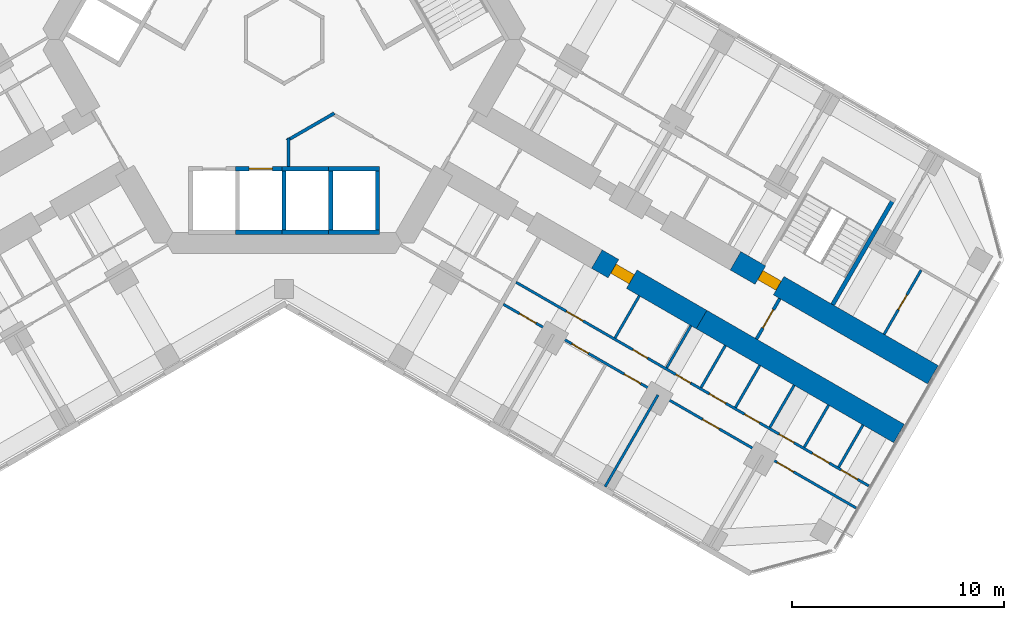
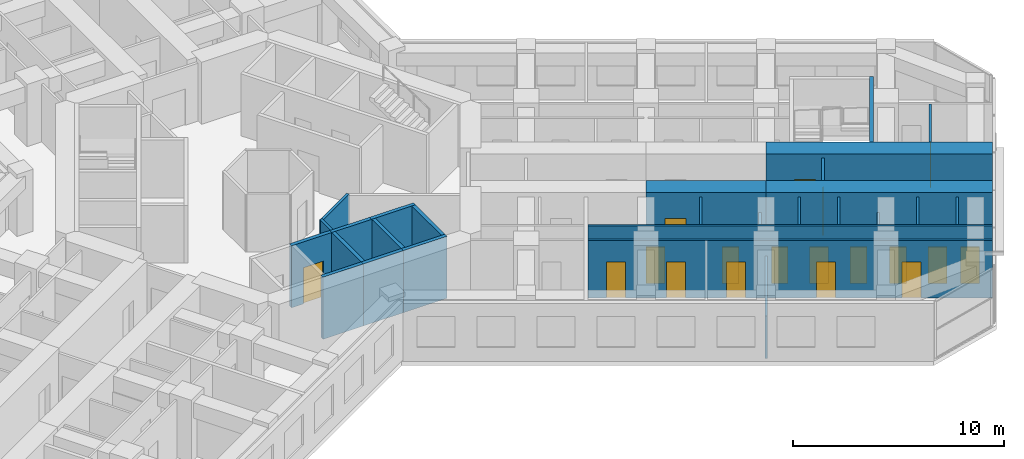
# One storey, part 14 of 21: 27 walls, 18 doors, 18 openings.
"""IFC4 building model written with IfcOpenShell, lengths in metres."""

from ifc_helpers import new_model, si_unit, direction, frame, frame_2d, origin, place, context, subcontext, project, spatial, rectangle, extrude, material, layer, layer_set, type_object, element, fill, save


model = new_model("IFC4")

# Units and contexts
model_context = context("Model", 3, precision=1e-05, world=origin(), true_north=direction((0.0, 1.0)))
body_context = subcontext(model_context, "Body", "Model", "MODEL_VIEW")
ifc_project = project(units=[si_unit("LENGTHUNIT", "METRE"), si_unit("AREAUNIT", "SQUARE_METRE"), si_unit("VOLUMEUNIT", "CUBIC_METRE"), si_unit("PLANEANGLEUNIT", "RADIAN"), si_unit("MASSUNIT", "GRAM", prefix="KILO")], contexts=[model_context])

# Site, building, storey
site_placement = place(None, origin())
site = spatial("IfcSite", under=ifc_project, at=site_placement, CompositionType="ELEMENT")
building_placement = place(site_placement, origin())
building = spatial("IfcBuilding", under=site, at=building_placement, Name="Kosmar Iwan School Tower", CompositionType="ELEMENT")
storey_placement = place(building_placement, frame((0.0, 0.0, 80.800048828125)))
storey = spatial("IfcBuildingStorey", under=building, at=storey_placement, Name="L19", CompositionType="ELEMENT", Elevation=80.800048828125)

# Walls
ifc_material_1 = material(Name="Gypsum board on steel studs, fire-rated", Category="steel")
ifc_layer_1 = layer(ifc_material_1, 0.14990234375)
ifc_layer_set_1 = layer_set([ifc_layer_1], Name="Core room partition 150")
wall_type_1 = type_object("IfcWallType", Name="Core room partition 150", PredefinedType="PARTITIONING", material=ifc_layer_set_1)
wall_1_placement = place(storey_placement, frame((0.135009765625, -4.771728515625, 0.0), z_axis=(0.0, 0.0, 1.0), x_axis=(0.866046643894, 0.499963209246, 0.0)))
element("IfcWall", 1, at=wall_1_placement, inside=storey, type_object=wall_type_1, Name="Core room partition L19-CW10", PredefinedType="PARTITIONING", context=body_context, shape_type="SweptSolid", body=[
    extrude(rectangle(XDim=2.574951171875, YDim=0.14990234375, at=frame_2d((1.28759765625, 0.0))), origin(), (0.0, 0.0, 1.0), 3.349853515625),
])
wall_2_placement = place(storey_placement, frame((0.199951171875, -6.0048828125, 0.0), z_axis=(0.0, 0.0, 1.0), x_axis=(0.0, 1.0, 0.0)))
element("IfcWall", 2, at=wall_2_placement, inside=storey, type_object=wall_type_1, Name="Core room partition L19-CW12", PredefinedType="PARTITIONING", context=body_context, shape_type="SweptSolid", body=[
    extrude(rectangle(XDim=1.345703125, YDim=0.14990234375, at=frame_2d((0.6728515625, 0.0))), origin(), (0.0, 0.0, 1.0), 3.349853515625),
])

# Wall, opening, door
ifc_material_2 = material(Name="Concrete C50/60", Category="concrete")
ifc_layer_2 = layer(ifc_material_2, 1.0)
ifc_layer_set_2 = layer_set([ifc_layer_2], Name="Corridor buttress wall 1000")
wall_type_2 = type_object("IfcWallType", Name="Corridor buttress wall 1000", PredefinedType="SHEAR", material=ifc_layer_set_2)
wall_3_placement = place(storey_placement, frame((21.281494140625, -10.439453125, 0.0), z_axis=(0.0, 0.0, 1.0), x_axis=(0.866032345022, -0.499987977232, 0.0)))
wall_3 = element("IfcWall", 3, at=wall_3_placement, inside=storey, type_object=wall_type_2, Name="Corridor wall CL bay 3", PredefinedType="SHEAR", context=body_context, shape_type="SweptSolid", body=[
    extrude(rectangle(XDim=10.744873046875, YDim=1.0, at=frame_2d((5.37255859375, 0.0))), origin(), (0.0, 0.0, 1.0), 3.599853515625),
])
opening_1_placement = place(wall_3_placement, frame((1.35009765625, 0.0, 0.0)))
opening_1 = element("IfcOpeningElement", 4, at=opening_1_placement, cuts=wall_3, Name="Opening D6", PredefinedType="OPENING", context=body_context, shape_type="SweptSolid", body=[
    extrude(rectangle(XDim=1.0, YDim=2.10009765625, at=frame_2d((0.5, 1.050048828125))), frame((0.0, 0.511962890625, 0.0), z_axis=(0.0, -1.0, 0.0), x_axis=(1.0, 0.0, 0.0)), (0.0, 0.0, 1.0), 1.02392578125),
])
ifc_material_3 = material(Name="Steel fire door", Category="steel")
door_type_1 = type_object("IfcDoorType", Name="Stair door 1000x2100", OperationType="SINGLE_SWING_LEFT", PredefinedType="DOOR", material=ifc_material_3)
door_1_placement = place(opening_1_placement, origin())
door_1 = element("IfcDoor", 5, at=door_1_placement, inside=storey, type_object=door_type_1, Name="Stair WS3 door L19", OperationType="SINGLE_SWING_LEFT", OverallHeight=2.10009765625, OverallWidth=1.0, PredefinedType="DOOR", context=body_context, shape_type="SweptSolid", body=[
    extrude(rectangle(XDim=1.0, YDim=2.10009765625, at=frame_2d((0.5, 1.050048828125))), frame((0.0, 0.25, 0.0), z_axis=(0.0, -1.0, 0.0), x_axis=(1.0, 0.0, 0.0)), (0.0, 0.0, 1.0), 0.5),
])
fill(opening_1, door_1)

wall_4_placement = place(storey_placement, frame((14.7451171875, -10.360595703125, 0.0), z_axis=(0.0, 0.0, 1.0), x_axis=(0.866015111908, -0.50001782563, 0.0)))
wall_4 = element("IfcWall", 6, at=wall_4_placement, inside=storey, type_object=wall_type_2, Name="Corridor wall CR bay 2", PredefinedType="SHEAR", context=body_context, shape_type="SweptSolid", body=[
    extrude(rectangle(XDim=5.699951171875, YDim=1.0, at=frame_2d((2.85009765625, 0.0))), origin(), (0.0, 0.0, 1.0), 3.599853515625),
])
opening_2_placement = place(wall_4_placement, frame((0.89990234375, 0.0, 0.0)))
opening_2 = element("IfcOpeningElement", 7, at=opening_2_placement, cuts=wall_4, Name="Opening D1", PredefinedType="OPENING", context=body_context, shape_type="SweptSolid", body=[
    extrude(rectangle(XDim=1.0, YDim=2.10009765625, at=frame_2d((0.5, 1.050048828125))), frame((0.0, 0.511962890625, 0.0), z_axis=(0.0, -1.0, 0.0), x_axis=(1.0, 0.0, 0.0)), (0.0, 0.0, 1.0), 1.02392578125),
])
ifc_material_4 = material(Name="Timber fire door in steel frame", Category="steel")
door_type_2 = type_object("IfcDoorType", Name="Flat entrance door 1000x2100", OperationType="SINGLE_SWING_LEFT", PredefinedType="DOOR", material=ifc_material_4)
door_2_placement = place(opening_2_placement, origin())
door_2 = element("IfcDoor", 8, at=door_2_placement, inside=storey, type_object=door_type_2, Name="Flat L19-CR2 entrance door", OperationType="SINGLE_SWING_LEFT", OverallHeight=2.10009765625, OverallWidth=1.0, PredefinedType="DOOR", context=body_context, shape_type="SweptSolid", body=[
    extrude(rectangle(XDim=1.0, YDim=2.10009765625, at=frame_2d((0.5, 1.050048828125))), frame((0.0, 0.25, 0.0), z_axis=(0.0, -1.0, 0.0), x_axis=(1.0, 0.0, 0.0)), (0.0, 0.0, 1.0), 0.5),
])
fill(opening_2, door_2)

# Wall
wall_5_placement = place(storey_placement, frame((19.681396484375, -13.210693359375, 0.0), z_axis=(0.0, 0.0, 1.0), x_axis=(0.866028186671, -0.499995179869, 0.0)))
element("IfcWall", 9, at=wall_5_placement, inside=storey, type_object=wall_type_2, Name="Corridor wall CR bay 3", PredefinedType="SHEAR", context=body_context, shape_type="SweptSolid", body=[
    extrude(rectangle(XDim=10.7451171875, YDim=1.0, at=frame_2d((5.37255859375, 0.0))), origin(), (0.0, 0.0, 1.0), 3.599853515625),
])

# Wall, opening, door
ifc_material_5 = material(Name="Gypsum board on steel studs, fire-rated", Category="steel")
ifc_layer_3 = layer(ifc_material_5, 0.14990234375)
ifc_layer_set_3 = layer_set([ifc_layer_3], Name="Corridor end wall 150")
wall_type_3 = type_object("IfcWallType", Name="Corridor end wall 150", PredefinedType="PARTITIONING", material=ifc_layer_set_3)
wall_6_placement = place(storey_placement, frame((22.269775390625, -14.127685546875, 0.0), z_axis=(0.0, 0.0, 1.0), x_axis=(0.50002983664, 0.866008176907, 0.0)))
wall_6 = element("IfcWall", 10, at=wall_6_placement, inside=storey, type_object=wall_type_3, Name="Partition L19-C-CE", PredefinedType="PARTITIONING", context=body_context, shape_type="SweptSolid", body=[
    extrude(rectangle(XDim=2.199951171875, YDim=0.14990234375, at=frame_2d((1.10009765625, 0.0))), origin(), (0.0, 0.0, 1.0), 3.349853515625),
])
opening_3_placement = place(wall_6_placement, frame((0.60009765625, 0.0, 0.0)))
opening_3 = element("IfcOpeningElement", 11, at=opening_3_placement, cuts=wall_6, Name="Opening D13", PredefinedType="OPENING", context=body_context, shape_type="SweptSolid", body=[
    extrude(rectangle(XDim=1.0, YDim=2.10009765625, at=frame_2d((0.5, 1.050048828125))), frame((0.0, 0.0869140625, 0.0), z_axis=(0.0, -1.0, 0.0), x_axis=(1.0, 0.0, 0.0)), (0.0, 0.0, 1.0), 0.173828125),
])
ifc_material_6 = material(Name="Timber fire door with vision panel", Category="wood")
door_type_3 = type_object("IfcDoorType", Name="Corridor end door 1000x2100", OperationType="SINGLE_SWING_LEFT", PredefinedType="DOOR", material=ifc_material_6)
door_3_placement = place(opening_3_placement, origin())
door_3 = element("IfcDoor", 12, at=door_3_placement, inside=storey, type_object=door_type_3, Name="Hobby workshop door L19-C", OperationType="SINGLE_SWING_LEFT", OverallHeight=2.10009765625, OverallWidth=1.0, PredefinedType="DOOR", context=body_context, shape_type="SweptSolid", body=[
    extrude(rectangle(XDim=1.0, YDim=2.10009765625, at=frame_2d((0.5, 1.050048828125))), frame((0.0, 0.02490234375, 0.0), z_axis=(0.0, -1.0, 0.0), x_axis=(1.0, 0.0, 0.0)), (0.0, 0.0, 1.0), 0.050048828125),
])
fill(opening_3, door_3)

ifc_material_7 = material(Name="Gypsum board on steel studs", Category="steel")
ifc_layer_4 = layer(ifc_material_7, 0.1201171875)
ifc_layer_set_4 = layer_set([ifc_layer_4], Name="Dwelling partition 120")
wall_type_4 = type_object("IfcWallType", Name="Dwelling partition 120", PredefinedType="PARTITIONING", material=ifc_layer_set_4)
wall_7_placement = place(storey_placement, frame((28.286376953125, -13.90625, 0.0), z_axis=(0.0, 0.0, 1.0), x_axis=(0.50002117804, 0.866013176292, 0.0)))
wall_7 = element("IfcWall", 13, at=wall_7_placement, inside=storey, type_object=wall_type_4, Name="Partition L19-CL2-TY", PredefinedType="PARTITIONING", context=body_context, shape_type="SweptSolid", body=[
    extrude(rectangle(XDim=3.489990234375, YDim=0.1201171875, at=frame_2d((1.7451171875, 0.0))), origin(), (0.0, 0.0, 1.0), 3.349853515625),
])
opening_4_placement = place(wall_7_placement, frame((1.344970703125, 0.0, 0.0)))
opening_4 = element("IfcOpeningElement", 14, at=opening_4_placement, cuts=wall_7, Name="Opening D3", PredefinedType="OPENING", context=body_context, shape_type="SweptSolid", body=[
    extrude(rectangle(XDim=0.800048828125, YDim=2.10009765625, at=frame_2d((0.39990234375, 1.050048828125))), frame((0.0, 0.072021484375, 0.0), z_axis=(0.0, -1.0, 0.0), x_axis=(1.0, 0.0, 0.0)), (0.0, 0.0, 1.0), 0.14404296875),
])
ifc_material_8 = material(Name="Timber door in timber frame", Category="wood")
door_type_4 = type_object("IfcDoorType", Name="Sanitary room door 800x2100", OperationType="SINGLE_SWING_LEFT", PredefinedType="DOOR", material=ifc_material_8)
door_4_placement = place(opening_4_placement, origin())
door_4 = element("IfcDoor", 15, at=door_4_placement, inside=storey, type_object=door_type_4, Name="Shower room door L19-CL2-T4", OperationType="SINGLE_SWING_LEFT", OverallHeight=2.10009765625, OverallWidth=0.800048828125, PredefinedType="DOOR", context=body_context, shape_type="SweptSolid", body=[
    extrude(rectangle(XDim=0.800048828125, YDim=2.10009765625, at=frame_2d((0.39990234375, 1.050048828125))), frame((0.0, 0.02490234375, 0.0), z_axis=(0.0, -1.0, 0.0), x_axis=(1.0, 0.0, 0.0)), (0.0, 0.0, 1.0), 0.050048828125),
])
fill(opening_4, door_4)

# Wall, openings, doors
wall_8_placement = place(storey_placement, frame((10.9384765625, -11.453857421875, 0.0), z_axis=(0.0, 0.0, 1.0), x_axis=(0.866029698618, -0.499992561057, 0.0)))
wall_8 = element("IfcWall", 16, at=wall_8_placement, inside=storey, type_object=wall_type_4, Name="Partition L19-CR2-W1", PredefinedType="PARTITIONING", context=body_context, shape_type="SweptSolid", body=[
    extrude(rectangle(XDim=19.195068359375, YDim=0.1201171875, at=frame_2d((9.59765625, 0.0))), origin(), (0.0, 0.0, 1.0), 3.349853515625),
])
opening_5_placement = place(wall_8_placement, frame((2.75, 0.0, 0.0)))
opening_5 = element("IfcOpeningElement", 17, at=opening_5_placement, cuts=wall_8, Name="Opening D2", PredefinedType="OPENING", context=body_context, shape_type="SweptSolid", body=[
    extrude(rectangle(XDim=0.89990234375, YDim=2.10009765625, at=frame_2d((0.449951171875, 1.050048828125))), frame((0.0, 0.072021484375, 0.0), z_axis=(0.0, -1.0, 0.0), x_axis=(1.0, 0.0, 0.0)), (0.0, 0.0, 1.0), 0.14404296875),
])
opening_6_placement = place(wall_8_placement, frame((6.35498046875, 0.0, 0.0)))
opening_6 = element("IfcOpeningElement", 18, at=opening_6_placement, cuts=wall_8, Name="Opening D3", PredefinedType="OPENING", context=body_context, shape_type="SweptSolid", body=[
    extrude(rectangle(XDim=0.800048828125, YDim=2.10009765625, at=frame_2d((0.39990234375, 1.050048828125))), frame((0.0, 0.072021484375, 0.0), z_axis=(0.0, -1.0, 0.0), x_axis=(1.0, 0.0, 0.0)), (0.0, 0.0, 1.0), 0.14404296875),
])
opening_7_placement = place(wall_8_placement, frame((8.69677734375, 0.0, 0.0)))
opening_7 = element("IfcOpeningElement", 19, at=opening_7_placement, cuts=wall_8, Name="Opening D3", PredefinedType="OPENING", context=body_context, shape_type="SweptSolid", body=[
    extrude(rectangle(XDim=0.800048828125, YDim=2.10009765625, at=frame_2d((0.39990234375, 1.050048828125))), frame((0.0, 0.072021484375, 0.0), z_axis=(0.0, -1.0, 0.0), x_axis=(1.0, 0.0, 0.0)), (0.0, 0.0, 1.0), 0.14404296875),
])
opening_8_placement = place(wall_8_placement, frame((10.52001953125, 0.0, 0.0)))
opening_8 = element("IfcOpeningElement", 20, at=opening_8_placement, cuts=wall_8, Name="Opening D2", PredefinedType="OPENING", context=body_context, shape_type="SweptSolid", body=[
    extrude(rectangle(XDim=0.89990234375, YDim=2.10009765625, at=frame_2d((0.449951171875, 1.050048828125))), frame((0.0, 0.072021484375, 0.0), z_axis=(0.0, -1.0, 0.0), x_axis=(1.0, 0.0, 0.0)), (0.0, 0.0, 1.0), 0.14404296875),
])
opening_9_placement = place(wall_8_placement, frame((12.443359375, 0.0, 0.0)))
opening_9 = element("IfcOpeningElement", 21, at=opening_9_placement, cuts=wall_8, Name="Opening D3", PredefinedType="OPENING", context=body_context, shape_type="SweptSolid", body=[
    extrude(rectangle(XDim=0.800048828125, YDim=2.10009765625, at=frame_2d((0.39990234375, 1.050048828125))), frame((0.0, 0.072021484375, 0.0), z_axis=(0.0, -1.0, 0.0), x_axis=(1.0, 0.0, 0.0)), (0.0, 0.0, 1.0), 0.14404296875),
])
opening_10_placement = place(wall_8_placement, frame((14.316650390625, 0.0, 0.0)))
opening_10 = element("IfcOpeningElement", 22, at=opening_10_placement, cuts=wall_8, Name="Opening D3", PredefinedType="OPENING", context=body_context, shape_type="SweptSolid", body=[
    extrude(rectangle(XDim=0.800048828125, YDim=2.10009765625, at=frame_2d((0.39990234375, 1.050048828125))), frame((0.0, 0.072021484375, 0.0), z_axis=(0.0, -1.0, 0.0), x_axis=(1.0, 0.0, 0.0)), (0.0, 0.0, 1.0), 0.14404296875),
])
opening_11_placement = place(wall_8_placement, frame((16.139892578125, 0.0, 0.0)))
opening_11 = element("IfcOpeningElement", 23, at=opening_11_placement, cuts=wall_8, Name="Opening D2", PredefinedType="OPENING", context=body_context, shape_type="SweptSolid", body=[
    extrude(rectangle(XDim=0.89990234375, YDim=2.10009765625, at=frame_2d((0.449951171875, 1.050048828125))), frame((0.0, 0.072021484375, 0.0), z_axis=(0.0, -1.0, 0.0), x_axis=(1.0, 0.0, 0.0)), (0.0, 0.0, 1.0), 0.14404296875),
])
opening_12_placement = place(wall_8_placement, frame((17.686767578125, 0.0, 0.0)))
opening_12 = element("IfcOpeningElement", 24, at=opening_12_placement, cuts=wall_8, Name="Opening D2", PredefinedType="OPENING", context=body_context, shape_type="SweptSolid", body=[
    extrude(rectangle(XDim=0.89990234375, YDim=2.10009765625, at=frame_2d((0.449951171875, 1.050048828125))), frame((0.0, 0.072021484375, 0.0), z_axis=(0.0, -1.0, 0.0), x_axis=(1.0, 0.0, 0.0)), (0.0, 0.0, 1.0), 0.14404296875),
])
ifc_material_9 = material(Name="Timber door in timber frame", Category="wood")
door_type_5 = type_object("IfcDoorType", Name="Internal door 900x2100", OperationType="SINGLE_SWING_LEFT", PredefinedType="DOOR", material=ifc_material_9)
door_5_placement = place(opening_5_placement, origin())
door_5 = element("IfcDoor", 25, at=door_5_placement, inside=storey, type_object=door_type_5, Name="Entrance hall door L19-CR2-S1", OperationType="SINGLE_SWING_RIGHT", OverallHeight=2.10009765625, OverallWidth=0.89990234375, PredefinedType="DOOR", context=body_context, shape_type="SweptSolid", body=[
    extrude(rectangle(XDim=0.89990234375, YDim=2.10009765625, at=frame_2d((0.449951171875, 1.050048828125))), frame((0.0, 0.02490234375, 0.0), z_axis=(0.0, -1.0, 0.0), x_axis=(1.0, 0.0, 0.0)), (0.0, 0.0, 1.0), 0.050048828125),
])
fill(opening_5, door_5)
door_6_placement = place(opening_8_placement, origin())
door_6 = element("IfcDoor", 26, at=door_6_placement, inside=storey, type_object=door_type_5, Name="Pantry door L19-CR2-S4", OperationType="SINGLE_SWING_LEFT", OverallHeight=2.10009765625, OverallWidth=0.89990234375, PredefinedType="DOOR", context=body_context, shape_type="SweptSolid", body=[
    extrude(rectangle(XDim=0.89990234375, YDim=2.10009765625, at=frame_2d((0.449951171875, 1.050048828125))), frame((0.0, 0.02490234375, 0.0), z_axis=(0.0, -1.0, 0.0), x_axis=(1.0, 0.0, 0.0)), (0.0, 0.0, 1.0), 0.050048828125),
])
fill(opening_8, door_6)
door_7_placement = place(opening_11_placement, origin())
door_7 = element("IfcDoor", 27, at=door_7_placement, inside=storey, type_object=door_type_5, Name="Utility room door L19-CR2-S7", OperationType="SINGLE_SWING_RIGHT", OverallHeight=2.10009765625, OverallWidth=0.89990234375, PredefinedType="DOOR", context=body_context, shape_type="SweptSolid", body=[
    extrude(rectangle(XDim=0.89990234375, YDim=2.10009765625, at=frame_2d((0.449951171875, 1.050048828125))), frame((0.0, 0.02490234375, 0.0), z_axis=(0.0, -1.0, 0.0), x_axis=(1.0, 0.0, 0.0)), (0.0, 0.0, 1.0), 0.050048828125),
])
fill(opening_11, door_7)
door_8_placement = place(opening_12_placement, origin())
door_8 = element("IfcDoor", 28, at=door_8_placement, inside=storey, type_object=door_type_5, Name="Dressing room door L19-CR2-S8", OperationType="SINGLE_SWING_LEFT", OverallHeight=2.10009765625, OverallWidth=0.89990234375, PredefinedType="DOOR", context=body_context, shape_type="SweptSolid", body=[
    extrude(rectangle(XDim=0.89990234375, YDim=2.10009765625, at=frame_2d((0.449951171875, 1.050048828125))), frame((0.0, 0.02490234375, 0.0), z_axis=(0.0, -1.0, 0.0), x_axis=(1.0, 0.0, 0.0)), (0.0, 0.0, 1.0), 0.050048828125),
])
fill(opening_12, door_8)
door_9_placement = place(opening_6_placement, origin())
door_9 = element("IfcDoor", 29, at=door_9_placement, inside=storey, type_object=door_type_4, Name="Bathroom door L19-CR2-S2", OperationType="SINGLE_SWING_LEFT", OverallHeight=2.10009765625, OverallWidth=0.800048828125, PredefinedType="DOOR", context=body_context, shape_type="SweptSolid", body=[
    extrude(rectangle(XDim=0.800048828125, YDim=2.10009765625, at=frame_2d((0.39990234375, 1.050048828125))), frame((0.0, 0.02490234375, 0.0), z_axis=(0.0, -1.0, 0.0), x_axis=(1.0, 0.0, 0.0)), (0.0, 0.0, 1.0), 0.050048828125),
])
fill(opening_6, door_9)
door_10_placement = place(opening_7_placement, origin())
door_10 = element("IfcDoor", 30, at=door_10_placement, inside=storey, type_object=door_type_4, Name="Shower room door L19-CR2-S3", OperationType="SINGLE_SWING_RIGHT", OverallHeight=2.10009765625, OverallWidth=0.800048828125, PredefinedType="DOOR", context=body_context, shape_type="SweptSolid", body=[
    extrude(rectangle(XDim=0.800048828125, YDim=2.10009765625, at=frame_2d((0.39990234375, 1.050048828125))), frame((0.0, 0.02490234375, 0.0), z_axis=(0.0, -1.0, 0.0), x_axis=(1.0, 0.0, 0.0)), (0.0, 0.0, 1.0), 0.050048828125),
])
fill(opening_7, door_10)
door_11_placement = place(opening_9_placement, origin())
door_11 = element("IfcDoor", 31, at=door_11_placement, inside=storey, type_object=door_type_4, Name="WC door L19-CR2-S5", OperationType="SINGLE_SWING_RIGHT", OverallHeight=2.10009765625, OverallWidth=0.800048828125, PredefinedType="DOOR", context=body_context, shape_type="SweptSolid", body=[
    extrude(rectangle(XDim=0.800048828125, YDim=2.10009765625, at=frame_2d((0.39990234375, 1.050048828125))), frame((0.0, 0.02490234375, 0.0), z_axis=(0.0, -1.0, 0.0), x_axis=(1.0, 0.0, 0.0)), (0.0, 0.0, 1.0), 0.050048828125),
])
fill(opening_9, door_11)
door_12_placement = place(opening_10_placement, origin())
door_12 = element("IfcDoor", 32, at=door_12_placement, inside=storey, type_object=door_type_4, Name="Store door L19-CR2-S6", OperationType="SINGLE_SWING_LEFT", OverallHeight=2.10009765625, OverallWidth=0.800048828125, PredefinedType="DOOR", context=body_context, shape_type="SweptSolid", body=[
    extrude(rectangle(XDim=0.800048828125, YDim=2.10009765625, at=frame_2d((0.39990234375, 1.050048828125))), frame((0.0, 0.02490234375, 0.0), z_axis=(0.0, -1.0, 0.0), x_axis=(1.0, 0.0, 0.0)), (0.0, 0.0, 1.0), 0.050048828125),
])
fill(opening_10, door_12)

wall_9_placement = place(storey_placement, frame((10.338623046875, -12.492919921875, 0.0), z_axis=(0.0, 0.0, 1.0), x_axis=(0.866021011428, -0.500007607708, 0.0)))
wall_9 = element("IfcWall", 33, at=wall_9_placement, inside=storey, type_object=wall_type_4, Name="Partition L19-CR2-W2", PredefinedType="PARTITIONING", context=body_context, shape_type="SweptSolid", body=[
    extrude(rectangle(XDim=19.195068359375, YDim=0.1201171875, at=frame_2d((9.59765625, 0.0))), origin(), (0.0, 0.0, 1.0), 3.349853515625),
])
opening_13_placement = place(wall_9_placement, frame((0.875, 0.0, 0.0)))
opening_13 = element("IfcOpeningElement", 34, at=opening_13_placement, cuts=wall_9, Name="Opening D2", PredefinedType="OPENING", context=body_context, shape_type="SweptSolid", body=[
    extrude(rectangle(XDim=0.89990234375, YDim=2.10009765625, at=frame_2d((0.449951171875, 1.050048828125))), frame((0.0, 0.072021484375, 0.0), z_axis=(0.0, -1.0, 0.0), x_axis=(1.0, 0.0, 0.0)), (0.0, 0.0, 1.0), 0.14404296875),
])
opening_14_placement = place(wall_9_placement, frame((3.72509765625, 0.0, 0.0)))
opening_14 = element("IfcOpeningElement", 35, at=opening_14_placement, cuts=wall_9, Name="Opening D2", PredefinedType="OPENING", context=body_context, shape_type="SweptSolid", body=[
    extrude(rectangle(XDim=0.89990234375, YDim=2.10009765625, at=frame_2d((0.449951171875, 1.050048828125))), frame((0.0, 0.072021484375, 0.0), z_axis=(0.0, -1.0, 0.0), x_axis=(1.0, 0.0, 0.0)), (0.0, 0.0, 1.0), 0.14404296875),
])
opening_15_placement = place(wall_9_placement, frame((6.574951171875, 0.0, 0.0)))
opening_15 = element("IfcOpeningElement", 36, at=opening_15_placement, cuts=wall_9, Name="Opening D2", PredefinedType="OPENING", context=body_context, shape_type="SweptSolid", body=[
    extrude(rectangle(XDim=0.89990234375, YDim=2.10009765625, at=frame_2d((0.449951171875, 1.050048828125))), frame((0.0, 0.072021484375, 0.0), z_axis=(0.0, -1.0, 0.0), x_axis=(1.0, 0.0, 0.0)), (0.0, 0.0, 1.0), 0.14404296875),
])
opening_16_placement = place(wall_9_placement, frame((10.85009765625, 0.0, 0.0)))
opening_16 = element("IfcOpeningElement", 37, at=opening_16_placement, cuts=wall_9, Name="Opening D2", PredefinedType="OPENING", context=body_context, shape_type="SweptSolid", body=[
    extrude(rectangle(XDim=0.89990234375, YDim=2.10009765625, at=frame_2d((0.449951171875, 1.050048828125))), frame((0.0, 0.072021484375, 0.0), z_axis=(0.0, -1.0, 0.0), x_axis=(1.0, 0.0, 0.0)), (0.0, 0.0, 1.0), 0.14404296875),
])
opening_17_placement = place(wall_9_placement, frame((14.89990234375, 0.0, 0.0)))
opening_17 = element("IfcOpeningElement", 38, at=opening_17_placement, cuts=wall_9, Name="Opening D2", PredefinedType="OPENING", context=body_context, shape_type="SweptSolid", body=[
    extrude(rectangle(XDim=0.89990234375, YDim=2.10009765625, at=frame_2d((0.449951171875, 1.050048828125))), frame((0.0, 0.072021484375, 0.0), z_axis=(0.0, -1.0, 0.0), x_axis=(1.0, 0.0, 0.0)), (0.0, 0.0, 1.0), 0.14404296875),
])
door_13_placement = place(opening_13_placement, origin())
door_13 = element("IfcDoor", 39, at=door_13_placement, inside=storey, type_object=door_type_5, Name="Bedroom 1 door L19-CR2-F1", OperationType="SINGLE_SWING_LEFT", OverallHeight=2.10009765625, OverallWidth=0.89990234375, PredefinedType="DOOR", context=body_context, shape_type="SweptSolid", body=[
    extrude(rectangle(XDim=0.89990234375, YDim=2.10009765625, at=frame_2d((0.449951171875, 1.050048828125))), frame((0.0, 0.02490234375, 0.0), z_axis=(0.0, -1.0, 0.0), x_axis=(1.0, 0.0, 0.0)), (0.0, 0.0, 1.0), 0.050048828125),
])
fill(opening_13, door_13)
door_14_placement = place(opening_14_placement, origin())
door_14 = element("IfcDoor", 40, at=door_14_placement, inside=storey, type_object=door_type_5, Name="Winter garden door L19-CR2-F2", OperationType="SINGLE_SWING_LEFT", OverallHeight=2.10009765625, OverallWidth=0.89990234375, PredefinedType="DOOR", context=body_context, shape_type="SweptSolid", body=[
    extrude(rectangle(XDim=0.89990234375, YDim=2.10009765625, at=frame_2d((0.449951171875, 1.050048828125))), frame((0.0, 0.02490234375, 0.0), z_axis=(0.0, -1.0, 0.0), x_axis=(1.0, 0.0, 0.0)), (0.0, 0.0, 1.0), 0.050048828125),
])
fill(opening_14, door_14)
door_15_placement = place(opening_15_placement, origin())
door_15 = element("IfcDoor", 41, at=door_15_placement, inside=storey, type_object=door_type_5, Name="Bedroom 2 door L19-CR2-F3", OperationType="SINGLE_SWING_LEFT", OverallHeight=2.10009765625, OverallWidth=0.89990234375, PredefinedType="DOOR", context=body_context, shape_type="SweptSolid", body=[
    extrude(rectangle(XDim=0.89990234375, YDim=2.10009765625, at=frame_2d((0.449951171875, 1.050048828125))), frame((0.0, 0.02490234375, 0.0), z_axis=(0.0, -1.0, 0.0), x_axis=(1.0, 0.0, 0.0)), (0.0, 0.0, 1.0), 0.050048828125),
])
fill(opening_15, door_15)
door_16_placement = place(opening_16_placement, origin())
door_16 = element("IfcDoor", 42, at=door_16_placement, inside=storey, type_object=door_type_5, Name="Living room and kitchen door L19-CR2-F4", OperationType="SINGLE_SWING_RIGHT", OverallHeight=2.10009765625, OverallWidth=0.89990234375, PredefinedType="DOOR", context=body_context, shape_type="SweptSolid", body=[
    extrude(rectangle(XDim=0.89990234375, YDim=2.10009765625, at=frame_2d((0.449951171875, 1.050048828125))), frame((0.0, 0.02490234375, 0.0), z_axis=(0.0, -1.0, 0.0), x_axis=(1.0, 0.0, 0.0)), (0.0, 0.0, 1.0), 0.050048828125),
])
fill(opening_16, door_16)
door_17_placement = place(opening_17_placement, origin())
door_17 = element("IfcDoor", 43, at=door_17_placement, inside=storey, type_object=door_type_5, Name="Bedroom 3 door L19-CR2-F5", OperationType="SINGLE_SWING_RIGHT", OverallHeight=2.10009765625, OverallWidth=0.89990234375, PredefinedType="DOOR", context=body_context, shape_type="SweptSolid", body=[
    extrude(rectangle(XDim=0.89990234375, YDim=2.10009765625, at=frame_2d((0.449951171875, 1.050048828125))), frame((0.0, 0.02490234375, 0.0), z_axis=(0.0, -1.0, 0.0), x_axis=(1.0, 0.0, 0.0)), (0.0, 0.0, 1.0), 0.050048828125),
])
fill(opening_17, door_17)

# Walls
wall_10_placement = place(storey_placement, frame((17.62646484375, -16.77001953125, 0.0), z_axis=(0.0, 0.0, 1.0), x_axis=(-0.499975153383, -0.86603974851, 0.0)))
element("IfcWall", 44, at=wall_10_placement, inside=storey, type_object=wall_type_4, Name="Partition L19-CR2-X3", PredefinedType="PARTITIONING", context=body_context, shape_type="SweptSolid", body=[
    extrude(rectangle(XDim=4.989990234375, YDim=0.1201171875, at=frame_2d((2.4951171875, 0.0))), origin(), (0.0, 0.0, 1.0), 2.449951171875),
])
wall_11_placement = place(storey_placement, frame((16.746826171875, -12.09375, 0.0), z_axis=(0.0, 0.0, 1.0), x_axis=(-0.500014693593, -0.866016920268, 0.0)))
element("IfcWall", 45, at=wall_11_placement, inside=storey, type_object=wall_type_4, Name="Partition L19-CR2-Y1", PredefinedType="PARTITIONING", context=body_context, shape_type="SweptSolid", body=[
    extrude(rectangle(XDim=2.2900390625, YDim=0.1201171875, at=frame_2d((1.14501953125, 0.0))), origin(), (0.0, 0.0, 1.0), 3.349853515625),
])
wall_12_placement = place(storey_placement, frame((19.180419921875, -13.49853515625, 0.0), z_axis=(0.0, 0.0, 1.0), x_axis=(-0.499968531483, -0.866043571379, 0.0)))
element("IfcWall", 46, at=wall_12_placement, inside=storey, type_object=wall_type_4, Name="Partition L19-CR2-Y2", PredefinedType="PARTITIONING", context=body_context, shape_type="SweptSolid", body=[
    extrude(rectangle(XDim=2.290283203125, YDim=0.1201171875, at=frame_2d((1.14501953125, 0.0))), origin(), (0.0, 0.0, 1.0), 2.449951171875),
])
for number, where, z_axis, x_axis, name in (
    (47, (20.802734375, -14.435302734375, 0.0), (0.0, 0.0, 1.0), (-0.500014693593, -0.866016920268, 0.0), "Partition L19-CR2-Y3"),
    (48, (22.425048828125, -15.3720703125, 0.0), (0.0, 0.0, 1.0), (-0.500014693593, -0.866016920268, 0.0), "Partition L19-CR2-Y4"),
):
    element("IfcWall", number, at=place(storey_placement, frame(where, z_axis=z_axis, x_axis=x_axis)), inside=storey, type_object=wall_type_4, Name=name, PredefinedType="PARTITIONING", context=body_context, shape_type="SweptSolid", body=[
        extrude(rectangle(XDim=2.2900390625, YDim=0.1201171875, at=frame_2d((1.14501953125, 0.0))), origin(), (0.0, 0.0, 1.0), 3.349853515625),
    ])
wall_13_placement = place(storey_placement, frame((24.04736328125, -16.30859375, 0.0), z_axis=(0.0, 0.0, 1.0), x_axis=(-0.500014693593, -0.866016920268, 0.0)))
element("IfcWall", 49, at=wall_13_placement, inside=storey, type_object=wall_type_4, Name="Partition L19-CR2-Y5", PredefinedType="PARTITIONING", context=body_context, shape_type="SweptSolid", body=[
    extrude(rectangle(XDim=2.2900390625, YDim=0.1201171875, at=frame_2d((1.14501953125, 0.0))), origin(), (0.0, 0.0, 1.0), 2.449951171875),
])
wall_14_placement = place(storey_placement, frame((25.669677734375, -17.245361328125, 0.0), z_axis=(0.0, 0.0, 1.0), x_axis=(-0.500014693593, -0.866016920268, 0.0)))
element("IfcWall", 50, at=wall_14_placement, inside=storey, type_object=wall_type_4, Name="Partition L19-CR2-Y6", PredefinedType="PARTITIONING", context=body_context, shape_type="SweptSolid", body=[
    extrude(rectangle(XDim=2.2900390625, YDim=0.1201171875, at=frame_2d((1.14501953125, 0.0))), origin(), (0.0, 0.0, 1.0), 3.349853515625),
])
wall_15_placement = place(storey_placement, frame((27.292236328125, -18.181884765625, 0.0), z_axis=(0.0, 0.0, 1.0), x_axis=(-0.499968531483, -0.866043571379, 0.0)))
element("IfcWall", 51, at=wall_15_placement, inside=storey, type_object=wall_type_4, Name="Partition L19-CR2-Y7", PredefinedType="PARTITIONING", context=body_context, shape_type="SweptSolid", body=[
    extrude(rectangle(XDim=2.290283203125, YDim=0.1201171875, at=frame_2d((1.14501953125, 0.0))), origin(), (0.0, 0.0, 1.0), 3.349853515625),
])
ifc_material_10 = material(Name="Concrete C35/45", Category="concrete")
ifc_layer_5 = layer(ifc_material_10, 0.199951171875)
ifc_layer_set_5 = layer_set([ifc_layer_5], Name="Escape stair wall 200")
wall_type_5 = type_object("IfcWallType", Name="Escape stair wall 200", PredefinedType="SHEAR", material=ifc_layer_set_5)
wall_16_placement = place(storey_placement, frame((25.861572265625, -12.50634765625, 0.0), z_axis=(0.0, 0.0, 1.0), x_axis=(0.500018801468, 0.86601454848, 0.0)))
element("IfcWall", 52, at=wall_16_placement, inside=storey, type_object=wall_type_5, Name="Stair WS3 wall", PredefinedType="SHEAR", context=body_context, shape_type="SweptSolid", body=[
    extrude(rectangle(XDim=5.800048828125, YDim=0.199951171875, at=frame_2d((2.89990234375, 0.0))), origin(), (0.0, 0.0, 1.0), 3.329833984375),
])

# Wall, opening, door
ifc_material_11 = material(Name="Concrete C50/60", Category="concrete")
ifc_layer_6 = layer(ifc_material_11, 0.199951171875)
ifc_layer_set_6 = layer_set([ifc_layer_6], Name="Lift shaft wall 200")
wall_type_6 = type_object("IfcWallType", Name="Lift shaft wall 200", PredefinedType="SHEAR", material=ifc_layer_set_6)
wall_17_placement = place(storey_placement, frame((-2.300048828125, -6.10009765625, 0.0), z_axis=(0.0, 0.0, 1.0), x_axis=(1.0, 0.0, 0.0)))
wall_17 = element("IfcWall", 53, at=wall_17_placement, inside=storey, type_object=wall_type_6, Name="Lift and stair front wall BC", PredefinedType="SHEAR", context=body_context, shape_type="SweptSolid", body=[
    extrude(rectangle(XDim=2.199951171875, YDim=0.199951171875, at=frame_2d((1.10009765625, 0.0))), origin(), (0.0, 0.0, 1.0), 3.599853515625),
])
opening_18_placement = place(wall_17_placement, frame((0.64990234375, 0.0, 0.0)))
opening_18 = element("IfcOpeningElement", 54, at=opening_18_placement, cuts=wall_17, Name="Opening LD1", PredefinedType="OPENING", context=body_context, shape_type="SweptSolid", body=[
    extrude(rectangle(XDim=1.10009765625, YDim=2.10009765625, at=frame_2d((0.550048828125, 1.050048828125))), frame((0.0, 0.112060546875, 0.0), z_axis=(0.0, -1.0, 0.0), x_axis=(1.0, 0.0, 0.0)), (0.0, 0.0, 1.0), 0.223876953125),
])
ifc_material_12 = material(Name="Stainless steel sliding lift door", Category="steel")
door_type_6 = type_object("IfcDoorType", Name="Lift landing door 1100x2100", OperationType="SLIDING_TO_LEFT", PredefinedType="DOOR", material=ifc_material_12)
door_18_placement = place(opening_18_placement, origin())
door_18 = element("IfcDoor", 55, at=door_18_placement, inside=storey, type_object=door_type_6, Name="Lift PL2 landing door L19", OperationType="SLIDING_TO_LEFT", OverallHeight=2.10009765625, OverallWidth=1.10009765625, PredefinedType="DOOR", context=body_context, shape_type="SweptSolid", body=[
    extrude(rectangle(XDim=1.10009765625, YDim=2.10009765625, at=frame_2d((0.550048828125, 1.050048828125))), frame((0.0, 0.02490234375, 0.0), z_axis=(0.0, -1.0, 0.0), x_axis=(1.0, 0.0, 0.0)), (0.0, 0.0, 1.0), 0.050048828125),
])
fill(opening_18, door_18)

# Walls
wall_18_placement = place(storey_placement, frame((-2.300048828125, -9.10009765625, 0.0), z_axis=(0.0, 0.0, 1.0), x_axis=(1.0, 0.0, 0.0)))
element("IfcWall", 56, at=wall_18_placement, inside=storey, type_object=wall_type_6, Name="Lift and stair back wall BC", PredefinedType="SHEAR", context=body_context, shape_type="SweptSolid", body=[
    extrude(rectangle(XDim=2.199951171875, YDim=0.199951171875, at=frame_2d((1.10009765625, 0.0))), origin(), (0.0, 0.0, 1.0), 3.599853515625),
])
for number, where, z_axis, x_axis, name in (
    (57, (-0.10009765625, -6.10009765625, 0.0), (0.0, 0.0, 1.0), (1.0, 0.0, 0.0), "Lift and stair front wall BC"),
    (58, (-0.10009765625, -9.10009765625, 0.0), (0.0, 0.0, 1.0), (1.0, 0.0, 0.0), "Lift and stair back wall BC"),
):
    element("IfcWall", number, at=place(storey_placement, frame(where, z_axis=z_axis, x_axis=x_axis)), inside=storey, type_object=wall_type_6, Name=name, PredefinedType="SHEAR", context=body_context, shape_type="SweptSolid", body=[
        extrude(rectangle(XDim=2.2001953125, YDim=0.199951171875, at=frame_2d((1.10009765625, 0.0))), origin(), (0.0, 0.0, 1.0), 3.599853515625),
    ])
for number, where, z_axis, x_axis, name in (
    (59, (2.10009765625, -6.10009765625, 0.0), (0.0, 0.0, 1.0), (1.0, 0.0, 0.0), "Lift and stair front wall BC"),
    (60, (2.10009765625, -9.10009765625, 0.0), (0.0, 0.0, 1.0), (1.0, 0.0, 0.0), "Lift and stair back wall BC"),
):
    element("IfcWall", number, at=place(storey_placement, frame(where, z_axis=z_axis, x_axis=x_axis)), inside=storey, type_object=wall_type_6, Name=name, PredefinedType="SHEAR", context=body_context, shape_type="SweptSolid", body=[
        extrude(rectangle(XDim=2.39990234375, YDim=0.199951171875, at=frame_2d((1.199951171875, 0.0))), origin(), (0.0, 0.0, 1.0), 3.599853515625),
    ])
for number, where, z_axis, x_axis, name in (
    (61, (0.0, -6.199951171875, 0.0), (0.0, 0.0, 1.0), (0.0, -1.0, 0.0), "Lift shaft wall BC 2"),
    (62, (2.199951171875, -6.199951171875, 0.0), (0.0, 0.0, 1.0), (0.0, -1.0, 0.0), "Lift shaft wall BC 3"),
    (63, (4.39990234375, -6.199951171875, 0.0), (0.0, 0.0, 1.0), (0.0, -1.0, 0.0), "Lift shaft wall BC 4"),
):
    element("IfcWall", number, at=place(storey_placement, frame(where, z_axis=z_axis, x_axis=x_axis)), inside=storey, type_object=wall_type_6, Name=name, PredefinedType="SHEAR", context=body_context, shape_type="SweptSolid", body=[
        extrude(rectangle(XDim=2.800048828125, YDim=0.199951171875, at=frame_2d((1.39990234375, 0.0))), origin(), (0.0, 0.0, 1.0), 3.599853515625),
    ])

save(model, "model.ifc")
